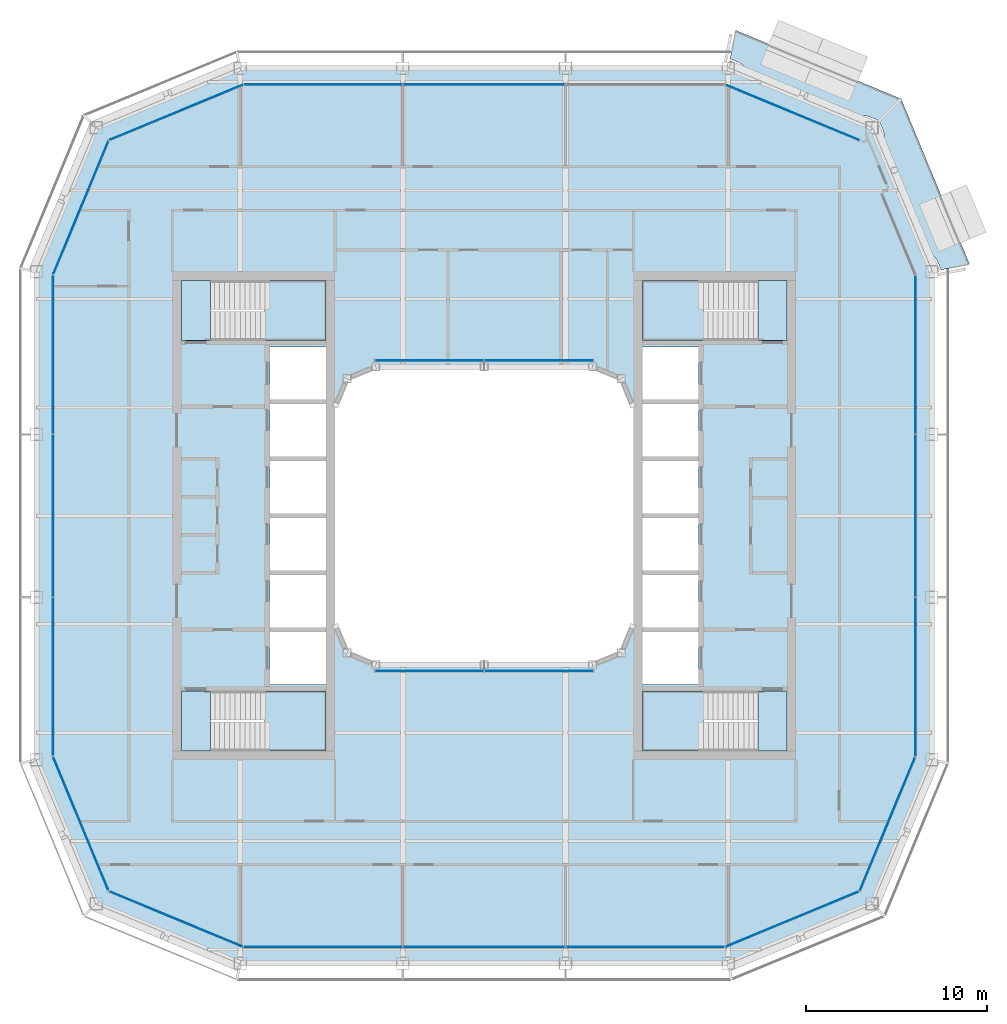
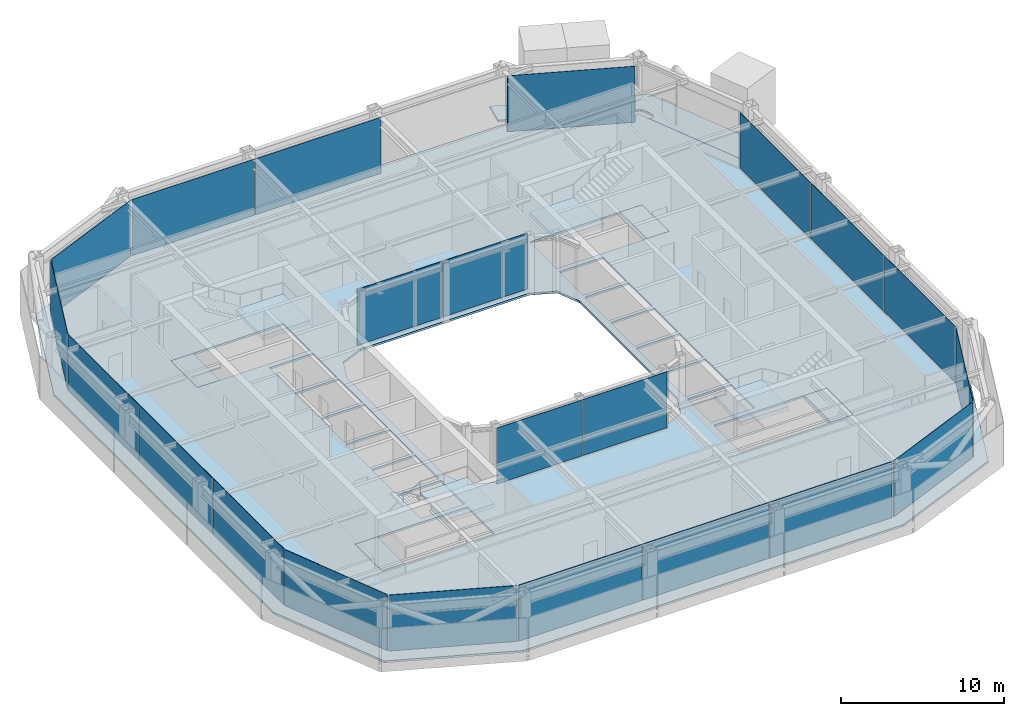
# One storey, part 10 of 21: 22 plates, 10 slabs, 17 elements without a shape of their own.
"""IFC4 building model written with IfcOpenShell, lengths in metres."""

from ifc_helpers import new_model, si_unit, direction, frame, origin, origin_2d, place, context, subcontext, project, spatial, polyline, rectangle, outline, extrude, material, layer, layer_set, type_object, element, aggregate, save


model = new_model("IFC4")

# Units and contexts
model_context = context("Model", 3, precision=1e-05, world=origin(), true_north=direction((0.0, 1.0)))
body_context = subcontext(model_context, "Body", "Model", "MODEL_VIEW")
ifc_project = project(units=[si_unit("LENGTHUNIT", "METRE"), si_unit("AREAUNIT", "SQUARE_METRE"), si_unit("VOLUMEUNIT", "CUBIC_METRE"), si_unit("PLANEANGLEUNIT", "RADIAN"), si_unit("MASSUNIT", "GRAM", prefix="KILO")], contexts=[model_context])

# Site, building, storey
site_placement = place(None, origin())
site = spatial("IfcSite", under=ifc_project, at=site_placement, CompositionType="ELEMENT")
building_placement = place(site_placement, origin())
building = spatial("IfcBuilding", under=site, at=building_placement, Name="Siwar Civic Tower", CompositionType="ELEMENT")
storey_placement = place(building_placement, frame((0.0, 0.0, 343.699951171875)))
storey = spatial("IfcBuildingStorey", under=building, at=storey_placement, Name="L74", CompositionType="ELEMENT", Elevation=343.699951171875)

# Stair, slabs
ifc_material_1 = material(Name="Concrete C40/50", Category="concrete")
stair_type = type_object("IfcStairType", Name="CORE-STAIR", PredefinedType="TWO_STRAIGHT_RUN_STAIR", material=ifc_material_1)
stair_1_placement = place(storey_placement, origin())
stair_1 = element("IfcStair", 1, at=stair_1_placement, inside=storey, type_object=stair_type, Name="Exit stair ST1", PredefinedType="TWO_STRAIGHT_RUN_STAIR")
ifc_material_2 = material(Name="Concrete C40/50", Category="concrete")
ifc_layer_1 = layer(ifc_material_2, 0.300048828125)
ifc_layer_set_1 = layer_set([ifc_layer_1], Name="Concrete C40/50")
slab_type_1 = type_object("IfcSlabType", Name="CORE-STAIR-LANDING", PredefinedType="LANDING", material=ifc_layer_set_1)
slab_1_placement = place(storey_placement, frame((0.0, 0.0, -0.300048828125)))
slab_1 = element("IfcSlab", 2, at=slab_1_placement, type_object=slab_type_1, Name="ST1 landing 1", PredefinedType="LANDING", context=body_context, shape_type="SweptSolid", body=[
    extrude(outline(polyline([(-15.14990234375, 13.0), (-16.75, 13.0), (-16.75, 9.699951171875), (-15.14990234375, 9.699951171875), (-15.14990234375, 13.0)])), origin(), (0.0, 0.0, 1.0), 0.300048828125),
])
slab_2_placement = place(storey_placement, frame((0.0, 0.0, 1.949951171875)))
slab_2 = element("IfcSlab", 3, at=slab_2_placement, type_object=slab_type_1, Name="ST1 landing 2", PredefinedType="LANDING", context=body_context, shape_type="SweptSolid", body=[
    extrude(outline(polyline([(-8.75, 13.0), (-12.139892578125, 13.0), (-12.139892578125, 9.699951171875), (-8.75, 9.699951171875), (-8.75, 13.0)])), origin(), (0.0, 0.0, 1.0), 0.300048828125),
])
aggregate(stair_1, [slab_1, slab_2])

stair_2_placement = place(storey_placement, origin())
stair_2 = element("IfcStair", 4, at=stair_2_placement, inside=storey, type_object=stair_type, Name="Exit stair ST2", PredefinedType="TWO_STRAIGHT_RUN_STAIR")
slab_3_placement = place(storey_placement, frame((0.0, 0.0, -0.300048828125)))
slab_3 = element("IfcSlab", 5, at=slab_3_placement, type_object=slab_type_1, Name="ST2 landing 1", PredefinedType="LANDING", context=body_context, shape_type="SweptSolid", body=[
    extrude(outline(polyline([(-15.14990234375, -9.699951171875), (-16.75, -9.699951171875), (-16.75, -13.0), (-15.14990234375, -13.0), (-15.14990234375, -9.699951171875)])), origin(), (0.0, 0.0, 1.0), 0.300048828125),
])
slab_4_placement = place(storey_placement, frame((0.0, 0.0, 1.949951171875)))
slab_4 = element("IfcSlab", 6, at=slab_4_placement, type_object=slab_type_1, Name="ST2 landing 2", PredefinedType="LANDING", context=body_context, shape_type="SweptSolid", body=[
    extrude(outline(polyline([(-8.75, -9.699951171875), (-12.139892578125, -9.699951171875), (-12.139892578125, -13.0), (-8.75, -13.0), (-8.75, -9.699951171875)])), origin(), (0.0, 0.0, 1.0), 0.300048828125),
])
aggregate(stair_2, [slab_3, slab_4])

stair_3_placement = place(storey_placement, origin())
stair_3 = element("IfcStair", 7, at=stair_3_placement, inside=storey, type_object=stair_type, Name="Exit stair ST3", PredefinedType="TWO_STRAIGHT_RUN_STAIR")
slab_5_placement = place(storey_placement, frame((0.0, 0.0, -0.300048828125)))
slab_5 = element("IfcSlab", 8, at=slab_5_placement, type_object=slab_type_1, Name="ST3 landing 1", PredefinedType="LANDING", context=body_context, shape_type="SweptSolid", body=[
    extrude(outline(polyline([(15.14990234375, 9.699951171875), (16.75, 9.699951171875), (16.75, 13.0), (15.14990234375, 13.0), (15.14990234375, 9.699951171875)])), origin(), (0.0, 0.0, 1.0), 0.300048828125),
])
slab_6_placement = place(storey_placement, frame((0.0, 0.0, 1.949951171875)))
slab_6 = element("IfcSlab", 9, at=slab_6_placement, type_object=slab_type_1, Name="ST3 landing 2", PredefinedType="LANDING", context=body_context, shape_type="SweptSolid", body=[
    extrude(outline(polyline([(8.75, 9.699951171875), (12.139892578125, 9.699951171875), (12.139892578125, 13.0), (8.75, 13.0), (8.75, 9.699951171875)])), origin(), (0.0, 0.0, 1.0), 0.300048828125),
])
aggregate(stair_3, [slab_5, slab_6])

stair_4_placement = place(storey_placement, origin())
stair_4 = element("IfcStair", 10, at=stair_4_placement, inside=storey, type_object=stair_type, Name="Exit stair ST4", PredefinedType="TWO_STRAIGHT_RUN_STAIR")
slab_7_placement = place(storey_placement, frame((0.0, 0.0, -0.300048828125)))
slab_7 = element("IfcSlab", 11, at=slab_7_placement, type_object=slab_type_1, Name="ST4 landing 1", PredefinedType="LANDING", context=body_context, shape_type="SweptSolid", body=[
    extrude(outline(polyline([(15.14990234375, -13.0), (16.75, -13.0), (16.75, -9.699951171875), (15.14990234375, -9.699951171875), (15.14990234375, -13.0)])), origin(), (0.0, 0.0, 1.0), 0.300048828125),
])
slab_8_placement = place(storey_placement, frame((0.0, 0.0, 1.949951171875)))
slab_8 = element("IfcSlab", 12, at=slab_8_placement, type_object=slab_type_1, Name="ST4 landing 2", PredefinedType="LANDING", context=body_context, shape_type="SweptSolid", body=[
    extrude(outline(polyline([(8.75, -13.0), (12.139892578125, -13.0), (12.139892578125, -9.699951171875), (8.75, -9.699951171875), (8.75, -13.0)])), origin(), (0.0, 0.0, 1.0), 0.300048828125),
])
aggregate(stair_4, [slab_7, slab_8])

# Slab
ifc_material_3 = material(Name="Concrete C40/50", Category="concrete")
ifc_layer_2 = layer(ifc_material_3, 0.14990234375)
ifc_layer_set_2 = layer_set([ifc_layer_2], Name="Concrete C40/50")
slab_type_2 = type_object("IfcSlabType", Name="ENV-BALCONY DECK 150", PredefinedType="FLOOR", material=ifc_layer_set_2)
slab_9_placement = place(storey_placement, frame((0.0, 0.0, -0.1494140625)))
element("IfcSlab", 13, at=slab_9_placement, inside=storey, type_object=slab_type_2, Name="Tree balcony deck NE", PredefinedType="FLOOR", context=body_context, shape_type="SweptSolid", body=[
    extrude(outline(polyline([(21.88623046875, 21.743896484375), (21.888671875, 21.738525390625), (21.888671875, 21.738525390625), (21.8955078125, 21.72216796875), (21.949951171875, 21.5908203125), (22.014892578125, 21.43505859375), (22.035400390625, 21.3857421875), (22.042236328125, 21.369384765625), (22.04296875, 21.367431640625), (22.06640625, 21.306396484375), (22.068115234375, 21.3017578125), (22.0849609375, 21.247802734375), (22.086181640625, 21.243408203125), (22.099853515625, 21.1884765625), (22.101318359375, 21.181396484375), (22.108154296875, 21.134033203125), (22.1083984375, 21.1328125), (22.11572265625, 21.07666015625), (22.1162109375, 21.070068359375), (22.1162109375, 21.0634765625), (22.112060546875, 20.975830078125), (22.11083984375, 20.965087890625), (22.103271484375, 20.92578125), (22.101318359375, 20.91796875), (22.0986328125, 20.910400390625), (22.08544921875, 20.8798828125), (22.08349609375, 20.875732421875), (22.068603515625, 20.84619140625), (22.06494140625, 20.839599609375), (22.060546875, 20.833251953125), (22.055419921875, 20.82763671875), (22.03564453125, 20.80712890625), (22.030517578125, 20.802490234375), (22.02490234375, 20.798095703125), (22.01904296875, 20.794189453125), (22.0126953125, 20.791015625), (21.988525390625, 20.780029296875), (21.984375, 20.7783203125), (21.959716796875, 20.76904296875), (21.952880859375, 20.7666015625), (21.946044921875, 20.76513671875), (21.93896484375, 20.76416015625), (21.931884765625, 20.763916015625), (21.903564453125, 20.764404296875), (21.89599609375, 20.764892578125), (21.888427734375, 20.76611328125), (21.881103515625, 20.76806640625), (21.849609375, 20.778564453125), (21.845458984375, 20.780029296875), (21.814453125, 20.792236328125), (21.80712890625, 20.795654296875), (21.800048828125, 20.7998046875), (21.766845703125, 20.822021484375), (21.758544921875, 20.82861328125), (21.693359375, 20.887451171875), (21.688720703125, 20.89208984375), (21.6875, 20.8935546875), (24.516357421875, 14.063720703125), (24.51123046875, 14.103759765625), (24.5107421875, 14.1103515625), (24.5107421875, 14.116943359375), (24.514892578125, 14.20458984375), (24.51611328125, 14.21533203125), (24.523681640625, 14.254638671875), (24.525634765625, 14.262451171875), (24.5283203125, 14.27001953125), (24.54150390625, 14.300537109375), (24.54345703125, 14.3046875), (24.558349609375, 14.33447265625), (24.56201171875, 14.341064453125), (24.56640625, 14.34716796875), (24.571533203125, 14.352783203125), (24.591064453125, 14.373291015625), (24.596435546875, 14.378173828125), (24.601806640625, 14.382568359375), (24.60791015625, 14.38623046875), (24.6142578125, 14.389404296875), (24.638427734375, 14.400390625), (24.642578125, 14.402099609375), (24.667236328125, 14.41162109375), (24.674072265625, 14.413818359375), (24.680908203125, 14.415283203125), (24.68798828125, 14.416259765625), (24.695068359375, 14.41650390625), (24.723388671875, 14.416015625), (24.73095703125, 14.41552734375), (24.738525390625, 14.414306640625), (24.745849609375, 14.412353515625), (24.77734375, 14.402099609375), (24.781494140625, 14.400634765625), (24.8125, 14.388427734375), (24.81982421875, 14.385009765625), (24.82666015625, 14.380859375), (24.860107421875, 14.3583984375), (24.868408203125, 14.351806640625), (24.93359375, 14.29296875), (24.938232421875, 14.288330078125), (24.942626953125, 14.283203125), (24.977294921875, 14.238525390625), (24.97802734375, 14.237548828125), (25.006591796875, 14.19921875), (25.0107421875, 14.193115234375), (25.0400390625, 14.144775390625), (25.042236328125, 14.140869140625), (25.068603515625, 14.0908203125), (25.07080078125, 14.08642578125), (25.09765625, 14.02685546875), (25.098388671875, 14.02490234375), (25.101806640625, 14.0166015625), (25.118896484375, 13.9755859375), (25.194091796875, 13.795166015625), (25.22802734375, 13.713134765625), (25.24169921875, 13.68017578125), (25.251953125, 13.65576171875), (25.251953125, 13.65576171875), (25.251953125, 13.65576171875), (25.251953125, 13.65576171875), (25.251953125, 13.65576171875), (25.2548828125, 13.64794921875), (25.25927734375, 13.632568359375), (25.260986328125, 13.625), (25.26220703125, 13.616943359375), (25.26318359375, 13.60205078125), (26.85009765625, 13.917724609375), (23.062255859375, 23.062255859375), (13.917724609375, 26.85009765625), (13.6015625, 25.2607421875), (13.61376953125, 25.2607421875), (13.620361328125, 25.2607421875), (13.627197265625, 25.259765625), (13.6337890625, 25.258544921875), (13.6455078125, 25.25537109375), (13.65576171875, 25.251953125), (13.68017578125, 25.24169921875), (13.713134765625, 25.22802734375), (13.795166015625, 25.194091796875), (13.9755859375, 25.118896484375), (14.0166015625, 25.101806640625), (14.02490234375, 25.098388671875), (14.02685546875, 25.09765625), (14.08642578125, 25.07080078125), (14.0908203125, 25.068603515625), (14.140869140625, 25.042236328125), (14.144775390625, 25.0400390625), (14.193115234375, 25.0107421875), (14.19921875, 25.006591796875), (14.237548828125, 24.97802734375), (14.238525390625, 24.977294921875), (14.283203125, 24.942626953125), (14.288330078125, 24.938232421875), (14.29296875, 24.93359375), (14.351806640625, 24.868408203125), (14.3583984375, 24.860107421875), (14.380859375, 24.82666015625), (14.385009765625, 24.81982421875), (14.388427734375, 24.8125), (14.400634765625, 24.781494140625), (14.402099609375, 24.77734375), (14.412353515625, 24.745849609375), (14.414306640625, 24.738525390625), (14.41552734375, 24.73095703125), (14.416015625, 24.723388671875), (14.41650390625, 24.695068359375), (14.416259765625, 24.68798828125), (14.415283203125, 24.680908203125), (14.413818359375, 24.674072265625), (14.41162109375, 24.667236328125), (14.402099609375, 24.642578125), (14.400390625, 24.638427734375), (14.389404296875, 24.6142578125), (14.38623046875, 24.60791015625), (14.382568359375, 24.601806640625), (14.378173828125, 24.596435546875), (14.373291015625, 24.591064453125), (14.352783203125, 24.571533203125), (14.34716796875, 24.56640625), (14.341064453125, 24.56201171875), (14.33447265625, 24.558349609375), (14.3046875, 24.54345703125), (14.300537109375, 24.54150390625), (14.27001953125, 24.5283203125), (14.262451171875, 24.525634765625), (14.254638671875, 24.523681640625), (14.21533203125, 24.51611328125), (14.20458984375, 24.514892578125), (14.116943359375, 24.5107421875), (14.1103515625, 24.5107421875), (14.103759765625, 24.51123046875), (14.063720703125, 24.516357421875), (20.8935546875, 21.6875), (20.89208984375, 21.688720703125), (20.887451171875, 21.693359375), (20.82861328125, 21.758544921875), (20.822021484375, 21.766845703125), (20.7998046875, 21.800048828125), (20.795654296875, 21.80712890625), (20.792236328125, 21.814453125), (20.780029296875, 21.845458984375), (20.778564453125, 21.849609375), (20.76806640625, 21.881103515625), (20.76611328125, 21.888427734375), (20.764892578125, 21.89599609375), (20.764404296875, 21.903564453125), (20.763916015625, 21.931884765625), (20.76416015625, 21.93896484375), (20.76513671875, 21.946044921875), (20.7666015625, 21.952880859375), (20.76904296875, 21.959716796875), (20.7783203125, 21.984375), (20.780029296875, 21.988525390625), (20.791015625, 22.0126953125), (20.794189453125, 22.01904296875), (20.798095703125, 22.02490234375), (20.802490234375, 22.030517578125), (20.80712890625, 22.03564453125), (20.82763671875, 22.055419921875), (20.833251953125, 22.060546875), (20.839599609375, 22.06494140625), (20.84619140625, 22.068603515625), (20.875732421875, 22.08349609375), (20.8798828125, 22.08544921875), (20.910400390625, 22.0986328125), (20.91796875, 22.101318359375), (20.92578125, 22.103271484375), (20.965087890625, 22.11083984375), (20.975830078125, 22.112060546875), (21.0634765625, 22.1162109375), (21.070068359375, 22.1162109375), (21.07666015625, 22.11572265625), (21.1328125, 22.1083984375), (21.134033203125, 22.108154296875), (21.181396484375, 22.101318359375), (21.1884765625, 22.099853515625), (21.243408203125, 22.086181640625), (21.247802734375, 22.0849609375), (21.3017578125, 22.068115234375), (21.306396484375, 22.06640625), (21.367431640625, 22.04296875), (21.369384765625, 22.042236328125), (21.3857421875, 22.035400390625), (21.43505859375, 22.014892578125), (21.5908203125, 21.949951171875), (21.656494140625, 21.922607421875), (21.72216796875, 21.8955078125), (21.738525390625, 21.888671875), (21.748046875, 21.8837890625), (21.7587890625, 21.87744140625), (21.76416015625, 21.873779296875), (21.76953125, 21.86962890625), (21.7744140625, 21.864990234375), (21.783447265625, 21.855712890625), (21.7880859375, 21.850341796875), (21.78857421875, 21.849609375), (21.7890625, 21.84912109375), (21.7890625, 21.848876953125), (21.794189453125, 21.8466796875), (21.800537109375, 21.84326171875), (21.806396484375, 21.839111328125), (21.8251953125, 21.82470703125), (21.833251953125, 21.817626953125), (21.849365234375, 21.801025390625), (21.85302734375, 21.796875), (21.856689453125, 21.79248046875), (21.869873046875, 21.77392578125), (21.873046875, 21.76904296875), (21.875732421875, 21.76416015625), (21.88623046875, 21.743896484375)])), origin(), (0.0, 0.0, 1.0), 0.1494140625),
])

# Curtain wall, plates
ifc_material_4 = material(Name="Aluminium and glass", Category="aluminium")
ifc_layer_3 = layer(ifc_material_4, 0.159912109375)
ifc_layer_set_3 = layer_set([ifc_layer_3], Name="Aluminium and glass")
curtain_wall_type_1 = type_object("IfcCurtainWallType", Name="ENV-CW-D", PredefinedType="NOTDEFINED", material=ifc_layer_set_3)
curtain_wall_1_placement = place(storey_placement, origin())
curtain_wall_1 = element("IfcCurtainWall", 14, at=curtain_wall_1_placement, inside=storey, type_object=curtain_wall_type_1, Name="Curtain wall D S", PredefinedType="NOTDEFINED")
ifc_material_5 = material(Name="Glass clear laminated", Category="glass")
ifc_layer_4 = layer(ifc_material_5, 0.030029296875)
ifc_layer_set_4 = layer_set([ifc_layer_4], Name="Glass clear laminated")
plate_type_1 = type_object("IfcPlateType", Name="ENV-PANEL-D", PredefinedType="CURTAIN_PANEL", material=ifc_layer_set_4)
plate_1_placement = place(storey_placement, frame((-8.910400390625, -23.85009765625, 0.10009765625), z_axis=(0.0, 0.0, 1.0), x_axis=(1.0, 0.0, 0.0)))
plate_1 = element("IfcPlate", 15, at=plate_1_placement, type_object=plate_type_1, Name="Curtain panel D S 1", PredefinedType="CURTAIN_PANEL", context=body_context, shape_type="SweptSolid", body=[
    extrude(rectangle(XDim=8.760986328125, YDim=0.030029296875, at=origin_2d()), origin(), (0.0, 0.0, 1.0), 4.199951171875),
])
plate_2_placement = place(storey_placement, frame((0.0, -23.85009765625, 0.10009765625), z_axis=(0.0, 0.0, 1.0), x_axis=(1.0, 0.0, 0.0)))
plate_2 = element("IfcPlate", 16, at=plate_2_placement, type_object=plate_type_1, Name="Curtain panel D S 2", PredefinedType="CURTAIN_PANEL", context=body_context, shape_type="SweptSolid", body=[
    extrude(rectangle(XDim=8.93994140625, YDim=0.030029296875, at=origin_2d()), origin(), (0.0, 0.0, 1.0), 4.199951171875),
])
plate_3_placement = place(storey_placement, frame((8.876708984375, -23.85009765625, 0.10009765625), z_axis=(0.0, 0.0, 1.0), x_axis=(1.0, 0.0, 0.0)))
plate_3 = element("IfcPlate", 17, at=plate_3_placement, type_object=plate_type_1, Name="Curtain panel D S 3", PredefinedType="CURTAIN_PANEL", context=body_context, shape_type="SweptSolid", body=[
    extrude(rectangle(XDim=8.693115234375, YDim=0.030029296875, at=origin_2d()), origin(), (0.0, 0.0, 1.0), 4.199951171875),
])
aggregate(curtain_wall_1, [plate_1, plate_2, plate_3])

curtain_wall_2_placement = place(storey_placement, origin())
curtain_wall_2 = element("IfcCurtainWall", 18, at=curtain_wall_2_placement, inside=storey, type_object=curtain_wall_type_1, Name="Curtain wall D E", PredefinedType="NOTDEFINED")
plate_4_placement = place(storey_placement, frame((23.85009765625, -8.910400390625, 0.10009765625), z_axis=(0.0, 0.0, 1.0), x_axis=(0.0, 1.0, 0.0)))
plate_4 = element("IfcPlate", 19, at=plate_4_placement, type_object=plate_type_1, Name="Curtain panel D E 1", PredefinedType="CURTAIN_PANEL", context=body_context, shape_type="SweptSolid", body=[
    extrude(rectangle(XDim=8.760986328125, YDim=0.030029296875, at=origin_2d()), origin(), (0.0, 0.0, 1.0), 4.199951171875),
])
plate_5_placement = place(storey_placement, frame((23.85009765625, 0.0, 0.10009765625), z_axis=(0.0, 0.0, 1.0), x_axis=(0.0, 1.0, 0.0)))
plate_5 = element("IfcPlate", 20, at=plate_5_placement, type_object=plate_type_1, Name="Curtain panel D E 2", PredefinedType="CURTAIN_PANEL", context=body_context, shape_type="SweptSolid", body=[
    extrude(rectangle(XDim=8.93994140625, YDim=0.030029296875, at=origin_2d()), origin(), (0.0, 0.0, 1.0), 4.199951171875),
])
plate_6_placement = place(storey_placement, frame((23.85009765625, 8.876708984375, 0.10009765625), z_axis=(0.0, 0.0, 1.0), x_axis=(0.0, 1.0, 0.0)))
plate_6 = element("IfcPlate", 21, at=plate_6_placement, type_object=plate_type_1, Name="Curtain panel D E 3", PredefinedType="CURTAIN_PANEL", context=body_context, shape_type="SweptSolid", body=[
    extrude(rectangle(XDim=8.693115234375, YDim=0.030029296875, at=origin_2d()), origin(), (0.0, 0.0, 1.0), 4.199951171875),
])
aggregate(curtain_wall_2, [plate_4, plate_5, plate_6])

curtain_wall_3_placement = place(storey_placement, origin())
curtain_wall_3 = element("IfcCurtainWall", 22, at=curtain_wall_3_placement, inside=storey, type_object=curtain_wall_type_1, Name="Curtain wall D N", PredefinedType="NOTDEFINED")
plate_7_placement = place(storey_placement, frame((0.0, 23.85009765625, 0.10009765625), z_axis=(0.0, 0.0, 1.0), x_axis=(-1.0, 0.0, 0.0)))
plate_7 = element("IfcPlate", 23, at=plate_7_placement, type_object=plate_type_1, Name="Curtain panel D N 2", PredefinedType="CURTAIN_PANEL", context=body_context, shape_type="SweptSolid", body=[
    extrude(rectangle(XDim=8.93994140625, YDim=0.030029296875, at=origin_2d()), origin(), (0.0, 0.0, 1.0), 4.199951171875),
])
plate_8_placement = place(storey_placement, frame((-8.876708984375, 23.85009765625, 0.10009765625), z_axis=(0.0, 0.0, 1.0), x_axis=(-1.0, 0.0, 0.0)))
plate_8 = element("IfcPlate", 24, at=plate_8_placement, type_object=plate_type_1, Name="Curtain panel D N 3", PredefinedType="CURTAIN_PANEL", context=body_context, shape_type="SweptSolid", body=[
    extrude(rectangle(XDim=8.693115234375, YDim=0.030029296875, at=origin_2d()), origin(), (0.0, 0.0, 1.0), 4.199951171875),
])
aggregate(curtain_wall_3, [plate_7, plate_8])

curtain_wall_4_placement = place(storey_placement, origin())
curtain_wall_4 = element("IfcCurtainWall", 25, at=curtain_wall_4_placement, inside=storey, type_object=curtain_wall_type_1, Name="Curtain wall D W", PredefinedType="NOTDEFINED")
plate_9_placement = place(storey_placement, frame((-23.85009765625, 8.910400390625, 0.10009765625), z_axis=(0.0, 0.0, 1.0), x_axis=(0.0, -1.0, 0.0)))
plate_9 = element("IfcPlate", 26, at=plate_9_placement, type_object=plate_type_1, Name="Curtain panel D W 1", PredefinedType="CURTAIN_PANEL", context=body_context, shape_type="SweptSolid", body=[
    extrude(rectangle(XDim=8.760986328125, YDim=0.030029296875, at=origin_2d()), origin(), (0.0, 0.0, 1.0), 4.199951171875),
])
plate_10_placement = place(storey_placement, frame((-23.85009765625, 0.0, 0.10009765625), z_axis=(0.0, 0.0, 1.0), x_axis=(0.0, -1.0, 0.0)))
plate_10 = element("IfcPlate", 27, at=plate_10_placement, type_object=plate_type_1, Name="Curtain panel D W 2", PredefinedType="CURTAIN_PANEL", context=body_context, shape_type="SweptSolid", body=[
    extrude(rectangle(XDim=8.93994140625, YDim=0.030029296875, at=origin_2d()), origin(), (0.0, 0.0, 1.0), 4.199951171875),
])
plate_11_placement = place(storey_placement, frame((-23.85009765625, -8.876708984375, 0.10009765625), z_axis=(0.0, 0.0, 1.0), x_axis=(0.0, -1.0, 0.0)))
plate_11 = element("IfcPlate", 28, at=plate_11_placement, type_object=plate_type_1, Name="Curtain panel D W 3", PredefinedType="CURTAIN_PANEL", context=body_context, shape_type="SweptSolid", body=[
    extrude(rectangle(XDim=8.693115234375, YDim=0.030029296875, at=origin_2d()), origin(), (0.0, 0.0, 1.0), 4.199951171875),
])
aggregate(curtain_wall_4, [plate_9, plate_10, plate_11])

# Curtain wall, plate
ifc_material_6 = material(Name="Aluminium clad insulated panel", Category="aluminium")
ifc_layer_5 = layer(ifc_material_6, 0.159912109375)
ifc_layer_set_5 = layer_set([ifc_layer_5], Name="Aluminium clad insulated panel")
curtain_wall_type_2 = type_object("IfcCurtainWallType", Name="ENV-CW-DX", PredefinedType="NOTDEFINED", material=ifc_layer_set_5)
curtain_wall_5_placement = place(storey_placement, origin())
curtain_wall_5 = element("IfcCurtainWall", 29, at=curtain_wall_5_placement, inside=storey, type_object=curtain_wall_type_2, Name="Curtain wall D SE1", PredefinedType="NOTDEFINED")
ifc_material_7 = material(Name="Aluminium clad insulated panel", Category="aluminium")
ifc_layer_6 = layer(ifc_material_7, 0.030029296875)
ifc_layer_set_6 = layer_set([ifc_layer_6], Name="Aluminium clad insulated panel")
plate_type_2 = type_object("IfcPlateType", Name="ENV-PANEL-DX", PredefinedType="CURTAIN_PANEL", material=ifc_layer_set_6)
plate_12_placement = place(storey_placement, frame((17.01220703125, -22.321044921875, 0.10009765625), z_axis=(0.0, 0.0, 1.0), x_axis=(0.923879532511, 0.382683432365, 0.0)))
plate_12 = element("IfcPlate", 30, at=plate_12_placement, type_object=plate_type_2, Name="Curtain panel D SE1 1", PredefinedType="CURTAIN_PANEL", context=body_context, shape_type="SweptSolid", body=[
    extrude(rectangle(XDim=7.9306640625, YDim=0.030029296875, at=origin_2d()), origin(), (0.0, 0.0, 1.0), 4.199951171875),
])
aggregate(curtain_wall_5, [plate_12])

curtain_wall_6_placement = place(storey_placement, origin())
curtain_wall_6 = element("IfcCurtainWall", 31, at=curtain_wall_6_placement, inside=storey, type_object=curtain_wall_type_2, Name="Curtain wall D SE2", PredefinedType="NOTDEFINED")
plate_13_placement = place(storey_placement, frame((22.295166015625, -17.074951171875, 0.10009765625), z_axis=(0.0, 0.0, 1.0), x_axis=(0.382683432365, 0.923879532511, 0.0)))
plate_13 = element("IfcPlate", 32, at=plate_13_placement, type_object=plate_type_2, Name="Curtain panel D SE2 1", PredefinedType="CURTAIN_PANEL", context=body_context, shape_type="SweptSolid", body=[
    extrude(rectangle(XDim=7.9306640625, YDim=0.030029296875, at=origin_2d()), origin(), (0.0, 0.0, 1.0), 4.199951171875),
])
aggregate(curtain_wall_6, [plate_13])

curtain_wall_7_placement = place(storey_placement, origin())
curtain_wall_7 = element("IfcCurtainWall", 33, at=curtain_wall_7_placement, inside=storey, type_object=curtain_wall_type_2, Name="Curtain wall D NE2", PredefinedType="NOTDEFINED")
plate_14_placement = place(storey_placement, frame((17.074951171875, 22.295166015625, 0.10009765625), z_axis=(0.0, 0.0, 1.0), x_axis=(-0.923879532511, 0.382683432365, 0.0)))
plate_14 = element("IfcPlate", 34, at=plate_14_placement, type_object=plate_type_2, Name="Curtain panel D NE2 1", PredefinedType="CURTAIN_PANEL", context=body_context, shape_type="SweptSolid", body=[
    extrude(rectangle(XDim=7.9306640625, YDim=0.030029296875, at=origin_2d()), origin(), (0.0, 0.0, 1.0), 4.199951171875),
])
aggregate(curtain_wall_7, [plate_14])

curtain_wall_8_placement = place(storey_placement, origin())
curtain_wall_8 = element("IfcCurtainWall", 35, at=curtain_wall_8_placement, inside=storey, type_object=curtain_wall_type_2, Name="Curtain wall D NW1", PredefinedType="NOTDEFINED")
plate_15_placement = place(storey_placement, frame((-17.01220703125, 22.321044921875, 0.10009765625), z_axis=(0.0, 0.0, 1.0), x_axis=(-0.923879532511, -0.382683432365, 0.0)))
plate_15 = element("IfcPlate", 36, at=plate_15_placement, type_object=plate_type_2, Name="Curtain panel D NW1 1", PredefinedType="CURTAIN_PANEL", context=body_context, shape_type="SweptSolid", body=[
    extrude(rectangle(XDim=7.9306640625, YDim=0.030029296875, at=origin_2d()), origin(), (0.0, 0.0, 1.0), 4.199951171875),
])
aggregate(curtain_wall_8, [plate_15])

curtain_wall_9_placement = place(storey_placement, origin())
curtain_wall_9 = element("IfcCurtainWall", 37, at=curtain_wall_9_placement, inside=storey, type_object=curtain_wall_type_2, Name="Curtain wall D NW2", PredefinedType="NOTDEFINED")
plate_16_placement = place(storey_placement, frame((-22.295166015625, 17.074951171875, 0.10009765625), z_axis=(0.0, 0.0, 1.0), x_axis=(-0.382683432365, -0.923879532511, 0.0)))
plate_16 = element("IfcPlate", 38, at=plate_16_placement, type_object=plate_type_2, Name="Curtain panel D NW2 1", PredefinedType="CURTAIN_PANEL", context=body_context, shape_type="SweptSolid", body=[
    extrude(rectangle(XDim=7.9306640625, YDim=0.030029296875, at=origin_2d()), origin(), (0.0, 0.0, 1.0), 4.199951171875),
])
aggregate(curtain_wall_9, [plate_16])

curtain_wall_10_placement = place(storey_placement, origin())
curtain_wall_10 = element("IfcCurtainWall", 39, at=curtain_wall_10_placement, inside=storey, type_object=curtain_wall_type_2, Name="Curtain wall D SW1", PredefinedType="NOTDEFINED")
plate_17_placement = place(storey_placement, frame((-22.321044921875, -17.01220703125, 0.10009765625), z_axis=(0.0, 0.0, 1.0), x_axis=(0.382683432365, -0.923879532511, 0.0)))
plate_17 = element("IfcPlate", 40, at=plate_17_placement, type_object=plate_type_2, Name="Curtain panel D SW1 1", PredefinedType="CURTAIN_PANEL", context=body_context, shape_type="SweptSolid", body=[
    extrude(rectangle(XDim=7.9306640625, YDim=0.030029296875, at=origin_2d()), origin(), (0.0, 0.0, 1.0), 4.199951171875),
])
aggregate(curtain_wall_10, [plate_17])

curtain_wall_11_placement = place(storey_placement, origin())
curtain_wall_11 = element("IfcCurtainWall", 41, at=curtain_wall_11_placement, inside=storey, type_object=curtain_wall_type_2, Name="Curtain wall D SW2", PredefinedType="NOTDEFINED")
plate_18_placement = place(storey_placement, frame((-17.074951171875, -22.295166015625, 0.10009765625), z_axis=(0.0, 0.0, 1.0), x_axis=(0.923879532511, -0.382683432365, 0.0)))
plate_18 = element("IfcPlate", 42, at=plate_18_placement, type_object=plate_type_2, Name="Curtain panel D SW2 1", PredefinedType="CURTAIN_PANEL", context=body_context, shape_type="SweptSolid", body=[
    extrude(rectangle(XDim=7.9306640625, YDim=0.030029296875, at=origin_2d()), origin(), (0.0, 0.0, 1.0), 4.199951171875),
])
aggregate(curtain_wall_11, [plate_18])

# Curtain wall, plates
ifc_material_8 = material(Name="Aluminium and glass", Category="aluminium")
ifc_layer_7 = layer(ifc_material_8, 0.179931640625)
ifc_layer_set_7 = layer_set([ifc_layer_7], Name="Aluminium and glass")
curtain_wall_type_3 = type_object("IfcCurtainWallType", Name="ENV-CW-W", PredefinedType="NOTDEFINED", material=ifc_layer_set_7)
curtain_wall_12_placement = place(storey_placement, origin())
curtain_wall_12 = element("IfcCurtainWall", 43, at=curtain_wall_12_placement, inside=storey, type_object=curtain_wall_type_3, Name="Curtain wall W WS", PredefinedType="NOTDEFINED")
ifc_material_9 = material(Name="Glass clear laminated", Category="glass")
ifc_layer_8 = layer(ifc_material_9, 0.031982421875)
ifc_layer_set_8 = layer_set([ifc_layer_8], Name="Glass clear laminated")
plate_type_3 = type_object("IfcPlateType", Name="ENV-PANEL-W", PredefinedType="CURTAIN_PANEL", material=ifc_layer_set_8)
plate_19_placement = place(storey_placement, frame((-3.033203125, -8.5849609375, 0.10009765625), z_axis=(0.0, 0.0, 1.0), x_axis=(1.0, 0.0, 0.0)))
plate_19 = element("IfcPlate", 44, at=plate_19_placement, type_object=plate_type_3, Name="Curtain panel W WS 1", PredefinedType="CURTAIN_PANEL", context=body_context, shape_type="SweptSolid", body=[
    extrude(rectangle(XDim=6.006591796875, YDim=0.031982421875, at=origin_2d()), origin(), (0.0, 0.0, 1.0), 4.199951171875),
])
plate_20_placement = place(storey_placement, frame((3.033203125, -8.5849609375, 0.10009765625), z_axis=(0.0, 0.0, 1.0), x_axis=(1.0, 0.0, 0.0)))
plate_20 = element("IfcPlate", 45, at=plate_20_placement, type_object=plate_type_3, Name="Curtain panel W WS 2", PredefinedType="CURTAIN_PANEL", context=body_context, shape_type="SweptSolid", body=[
    extrude(rectangle(XDim=6.006591796875, YDim=0.031982421875, at=origin_2d()), origin(), (0.0, 0.0, 1.0), 4.199951171875),
])
aggregate(curtain_wall_12, [plate_19, plate_20])

curtain_wall_13_placement = place(storey_placement, origin())
curtain_wall_13 = element("IfcCurtainWall", 46, at=curtain_wall_13_placement, inside=storey, type_object=curtain_wall_type_3, Name="Curtain wall W WN", PredefinedType="NOTDEFINED")
plate_21_placement = place(storey_placement, frame((3.033203125, 8.5849609375, 0.10009765625), z_axis=(0.0, 0.0, 1.0), x_axis=(-1.0, 0.0, 0.0)))
plate_21 = element("IfcPlate", 47, at=plate_21_placement, type_object=plate_type_3, Name="Curtain panel W WN 1", PredefinedType="CURTAIN_PANEL", context=body_context, shape_type="SweptSolid", body=[
    extrude(rectangle(XDim=6.006591796875, YDim=0.031982421875, at=origin_2d()), origin(), (0.0, 0.0, 1.0), 4.199951171875),
])
plate_22_placement = place(storey_placement, frame((-3.033203125, 8.5849609375, 0.10009765625), z_axis=(0.0, 0.0, 1.0), x_axis=(-1.0, 0.0, 0.0)))
plate_22 = element("IfcPlate", 48, at=plate_22_placement, type_object=plate_type_3, Name="Curtain panel W WN 2", PredefinedType="CURTAIN_PANEL", context=body_context, shape_type="SweptSolid", body=[
    extrude(rectangle(XDim=6.006591796875, YDim=0.031982421875, at=origin_2d()), origin(), (0.0, 0.0, 1.0), 4.199951171875),
])
aggregate(curtain_wall_13, [plate_21, plate_22])

# Slab
ifc_material_10 = material(Name="Concrete C40/50", Category="concrete")
ifc_layer_9 = layer(ifc_material_10, 0.14990234375)
ifc_layer_set_9 = layer_set([ifc_layer_9], Name="Concrete C40/50")
slab_type_3 = type_object("IfcSlabType", Name="STR-FLOOR-DECK-150", PredefinedType="FLOOR", material=ifc_layer_set_9)
slab_10_placement = place(storey_placement, frame((0.0, 0.0, -0.14990234375)))
element("IfcSlab", 49, at=slab_10_placement, inside=storey, type_object=slab_type_3, Name="L74/slab/1", PredefinedType="FLOOR", context=body_context, shape_type="SweptSolid", body=[
    extrude(outline(polyline([(-13.5, -24.75), (13.5, -24.75), (21.454833984375, -21.454833984375), (24.75, -13.5), (24.75, 13.5), (21.454833984375, 21.454833984375), (13.5, 24.75), (-13.5, 24.75), (-21.454833984375, 21.454833984375), (-24.75, 13.5), (-24.75, -13.5), (-21.454833984375, -21.454833984375), (-13.5, -24.75)]), holes=[polyline([(16.75, 13.0), (16.75, 9.699951171875), (8.75, 9.699951171875), (8.75, 13.0), (16.75, 13.0)]), polyline([(8.75, -9.699951171875), (16.75, -9.699951171875), (16.75, -13.0), (8.75, -13.0), (8.75, -9.699951171875)]), polyline([(11.85009765625, 9.324951171875), (11.85009765625, 6.425048828125), (8.75, 6.425048828125), (8.75, 9.324951171875), (11.85009765625, 9.324951171875)]), polyline([(8.75, 6.175048828125), (11.85009765625, 6.175048828125), (11.85009765625, 3.27490234375), (8.75, 3.27490234375), (8.75, 6.175048828125)]), polyline([(8.75, 3.02490234375), (11.85009765625, 3.02490234375), (11.85009765625, 0.125), (8.75, 0.125), (8.75, 3.02490234375)]), polyline([(8.75, -0.125), (11.85009765625, -0.125), (11.85009765625, -3.02490234375), (8.75, -3.02490234375), (8.75, -0.125)]), polyline([(8.75, -3.27490234375), (11.85009765625, -3.27490234375), (11.85009765625, -6.175048828125), (8.75, -6.175048828125), (8.75, -3.27490234375)]), polyline([(8.75, -6.425048828125), (11.85009765625, -6.425048828125), (11.85009765625, -9.324951171875), (8.75, -9.324951171875), (8.75, -6.425048828125)]), polyline([(-6.0, 8.25), (6.0, 8.25), (7.591064453125, 7.591064453125), (8.25, 6.0), (8.25, -6.0), (7.591064453125, -7.591064453125), (6.0, -8.25), (-6.0, -8.25), (-7.591064453125, -7.591064453125), (-8.25, -6.0), (-8.25, 6.0), (-7.591064453125, 7.591064453125), (-6.0, 8.25)]), polyline([(-8.75, -13.0), (-16.75, -13.0), (-16.75, -9.699951171875), (-8.75, -9.699951171875), (-8.75, -13.0)]), polyline([(-8.75, 9.699951171875), (-16.75, 9.699951171875), (-16.75, 13.0), (-8.75, 13.0), (-8.75, 9.699951171875)]), polyline([(-8.75, 6.425048828125), (-11.85009765625, 6.425048828125), (-11.85009765625, 9.324951171875), (-8.75, 9.324951171875), (-8.75, 6.425048828125)]), polyline([(-8.75, 3.27490234375), (-11.85009765625, 3.27490234375), (-11.85009765625, 6.175048828125), (-8.75, 6.175048828125), (-8.75, 3.27490234375)]), polyline([(-8.75, 0.125), (-11.85009765625, 0.125), (-11.85009765625, 3.02490234375), (-8.75, 3.02490234375), (-8.75, 0.125)]), polyline([(-8.75, -3.02490234375), (-11.85009765625, -3.02490234375), (-11.85009765625, -0.125), (-8.75, -0.125), (-8.75, -3.02490234375)]), polyline([(-8.75, -6.175048828125), (-11.85009765625, -6.175048828125), (-11.85009765625, -3.27490234375), (-8.75, -3.27490234375), (-8.75, -6.175048828125)]), polyline([(-8.75, -9.324951171875), (-11.85009765625, -9.324951171875), (-11.85009765625, -6.425048828125), (-8.75, -6.425048828125), (-8.75, -9.324951171875)])]), origin(), (0.0, 0.0, 1.0), 0.14990234375),
])

save(model, "model.ifc")
